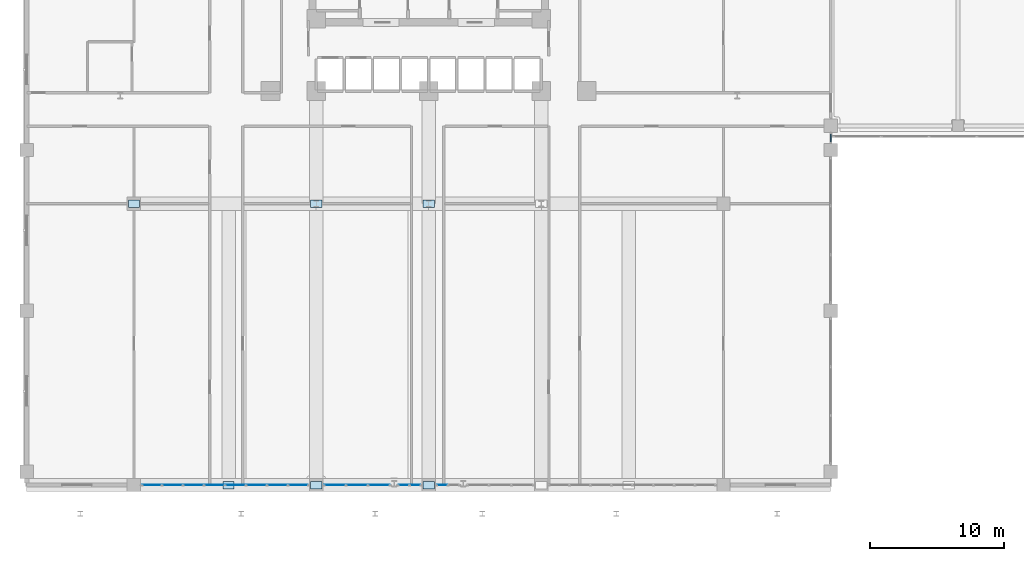
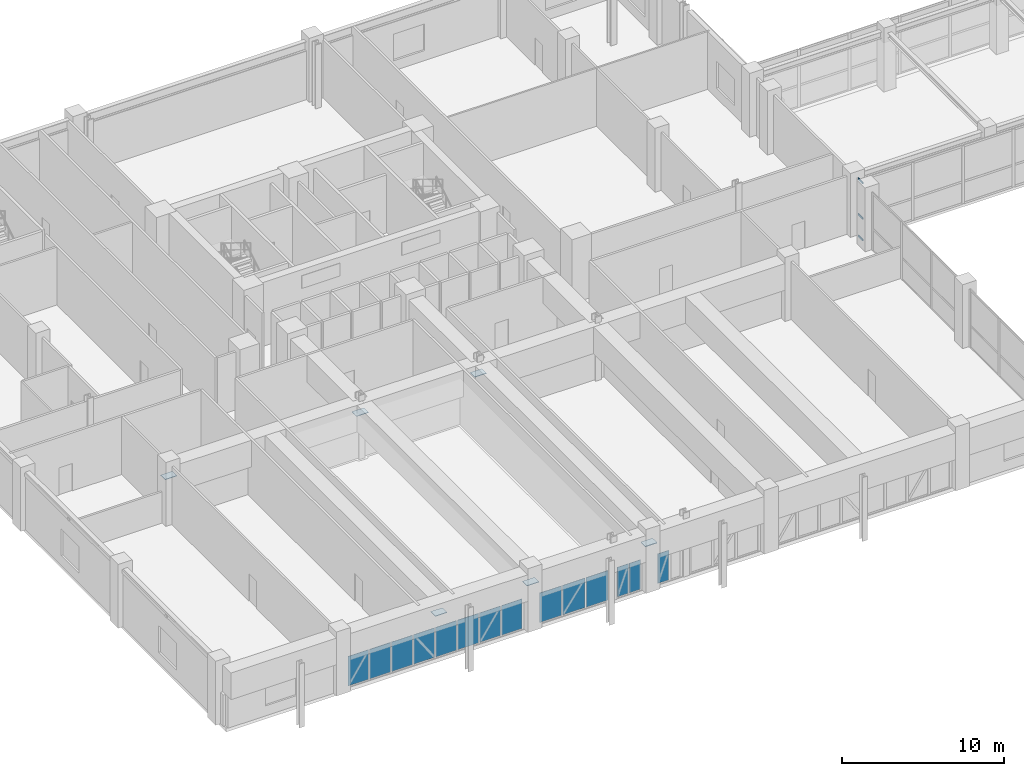
# One storey, part 26 of 44: 20 plates, 3 members, 5 elements without a shape of their own.
"""IFC4 building model written with IfcOpenShell, lengths in metres."""

from ifc_helpers import new_model, si_unit, derived_unit, direction, frame, origin, origin_2d, place, context, subcontext, project, spatial, rectangle, hollow_rectangle, extrude, source, transform, mapped, material, layer, layer_set, material_profile, profile_set, type_object, element, aggregate, save


model = new_model("IFC4")

# Units and contexts
model_context = context("Model", 3, precision=1e-05, world=origin(), true_north=direction((0.0, 1.0)))
body_context = subcontext(model_context, "Body", "Model", "MODEL_VIEW")
ifc_project = project(units=[si_unit("LENGTHUNIT", "METRE"), si_unit("AREAUNIT", "SQUARE_METRE"), si_unit("VOLUMEUNIT", "CUBIC_METRE"), si_unit("PLANEANGLEUNIT", "RADIAN"), si_unit("MASSUNIT", "GRAM", prefix="KILO"), derived_unit("THERMALTRANSMITTANCEUNIT", [(si_unit("POWERUNIT", "WATT"), 1), (si_unit("LENGTHUNIT", "METRE"), -2), (si_unit("THERMODYNAMICTEMPERATUREUNIT", "KELVIN"), -1)])], contexts=[model_context])

# Site, building, storey
site_placement = place(None, origin())
site = spatial("IfcSite", under=ifc_project, at=site_placement, CompositionType="ELEMENT")
building_placement = place(site_placement, origin())
building = spatial("IfcBuilding", under=site, at=building_placement, Name="Korsvarv Bourse and Concert Hall", CompositionType="ELEMENT")
storey_placement = place(building_placement, frame((0.0, 0.0, 9.60009765625)))
storey = spatial("IfcBuildingStorey", under=building, at=storey_placement, Name="L02", CompositionType="ELEMENT", Elevation=9.60009765625)

# Curtain wall, members
ifc_material_1 = material(Name="Anodised aluminium and triple low-E glazing", Category="glass")
ifc_layer_1 = layer(ifc_material_1, 0.239990234375)
ifc_layer_set_1 = layer_set([ifc_layer_1], Name="Anodised aluminium and triple low-E glazing")
curtain_wall_type = type_object("IfcCurtainWallType", Name="CW-SYS-5", PredefinedType="NOTDEFINED", material=ifc_layer_set_1)
curtain_wall_1_placement = place(storey_placement, origin())
curtain_wall_1 = element("IfcCurtainWall", 1, at=curtain_wall_1_placement, inside=storey, type_object=curtain_wall_type, Name="L02 CW5 curtain wall CW-L02-E2-2", PredefinedType="NOTDEFINED")
ifc_material_2 = material(Name="Extruded aluminium EN AW-6063 T66", Category="aluminium")
ifc_material_profile = material_profile(ifc_material_2, hollow_rectangle(XDim=0.06494140625, YDim=0.139892578125, WallThickness=0.00390625, at=origin_2d()), Name="ALU-T 65x140")
ifc_profile_set = profile_set([ifc_material_profile], Name="Extruded aluminium EN AW-6063 T66")
member_type = type_object("IfcMemberType", Name="CWT-140", PredefinedType="USERDEFINED", material=ifc_profile_set)
shared_shape_1 = source(origin(), body_context, "Body", "SweptSolid", [
    extrude(hollow_rectangle(XDim=0.06494140625, YDim=0.139892578125, WallThickness=0.00390625, at=origin_2d()), origin(), (0.0, 0.0, 1.0), 0.559814453125),
])
member_1_placement = place(storey_placement, frame((66.0, 28.6201171875, 0.032470703125), z_axis=(0.0, 1.0, 0.0), x_axis=(-1.0, 0.0, 0.0)))
member_1 = element("IfcMember", 2, at=member_1_placement, type_object=member_type, Name="CW5 transom 1.1", ObjectType="TRANSOM", PredefinedType="USERDEFINED", context=body_context, shape_type="MappedRepresentation", body=[
    mapped(shared_shape_1, transform((0.0, 0.0, 0.0), scale=1.0)),
])
member_2_placement = place(storey_placement, frame((66.0, 28.6201171875, 1.65283203125), z_axis=(0.0, 1.0, 0.0), x_axis=(-1.0, 0.0, 0.0)))
member_2 = element("IfcMember", 3, at=member_2_placement, type_object=member_type, Name="CW5 transom 1.2", ObjectType="TRANSOM", PredefinedType="USERDEFINED", context=body_context, shape_type="MappedRepresentation", body=[
    mapped(shared_shape_1, transform((0.0, 0.0, 0.0), scale=1.0)),
])
member_3_placement = place(storey_placement, frame((66.0, 28.6201171875, 4.3173828125), z_axis=(0.0, 1.0, 0.0), x_axis=(-1.0, 0.0, 0.0)))
member_3 = element("IfcMember", 4, at=member_3_placement, type_object=member_type, Name="CW5 transom 1.3", ObjectType="TRANSOM", PredefinedType="USERDEFINED", context=body_context, shape_type="MappedRepresentation", body=[
    mapped(shared_shape_1, transform((0.0, 0.0, 0.0), scale=1.0)),
])
aggregate(curtain_wall_1, [member_1, member_2, member_3])

# Plates
ifc_material_3 = material(Name="Steel S460", Category="steel")
ifc_layer_2 = layer(ifc_material_3, 0.0400390625)
ifc_layer_set_2 = layer_set([ifc_layer_2], Name="Steel S460")
plate_type_1 = type_object("IfcPlateType", Name="PLT-KN6", PredefinedType="SHEET", material=ifc_layer_set_2)
shared_shape_2 = source(origin(), body_context, "Body", "SweptSolid", [
    extrude(rectangle(XDim=0.840087890625, YDim=0.56005859375, at=origin_2d()), origin(), (0.0, 0.0, 1.0), 0.0400390625),
])
for number, where, z_axis, x_axis, name in (
    (5, (14.0, 24.0, 3.329833984375), (0.0, 0.0, 1.0), (1.0, 0.0, 0.0), "Podium transfer bearing node plate KN6 (BM-L02-PTR1)"),
    (6, (27.60009765625, 24.0, 3.329833984375), (0.0, 0.0, 1.0), (1.0, 0.0, 0.0), "Podium transfer bearing node plate KN6 (BM-L02-PTR2)"),
    (7, (36.0, 24.0, 3.329833984375), (0.0, 0.0, 1.0), (1.0, 0.0, 0.0), "Podium transfer bearing node plate KN6 (BM-L02-PTR3)"),
    (8, (27.60009765625, 3.0, 3.329833984375), (0.0, 0.0, 1.0), (1.0, 0.0, 0.0), "Podium transfer bearing node plate KN6 (BM-L02-PTR5)"),
    (9, (36.0, 3.0, 3.329833984375), (0.0, 0.0, 1.0), (1.0, 0.0, 0.0), "Podium transfer bearing node plate KN6 (BM-L02-PTR7)"),
    (10, (21.06787109375, 3.0, 3.329833984375), (0.0, 0.0, 1.0), (1.0, 0.0, 0.0), "Podium transfer bearing node plate KN6 (BM-L02-PTRC8)"),
):
    element("IfcPlate", number, at=place(storey_placement, frame(where, z_axis=z_axis, x_axis=x_axis)), inside=storey, type_object=plate_type_1, Name=name, PredefinedType="SHEET", context=body_context, shape_type="MappedRepresentation", body=[
        mapped(shared_shape_2, transform((0.0, 0.0, 0.0), scale=1.0)),
    ])

# Curtain wall, plates
curtain_wall_2_placement = place(storey_placement, origin())
curtain_wall_2 = element("IfcCurtainWall", 11, at=curtain_wall_2_placement, inside=storey, type_object=curtain_wall_type, Name="L02 CW5 curtain wall CW-L02-S2", PredefinedType="NOTDEFINED")
ifc_material_4 = material(Name="Insulated spandrel glass", Category="glass")
ifc_layer_3 = layer(ifc_material_4, 0.031982421875)
ifc_layer_set_3 = layer_set([ifc_layer_3], Name="Insulated spandrel glass")
plate_type_2 = type_object("IfcPlateType", Name="CWP-SPD1", PredefinedType="CURTAIN_PANEL", material=ifc_layer_set_3)
shared_shape_3 = source(origin(), body_context, "Body", "SweptSolid", [
    extrude(rectangle(XDim=1.45751953125, YDim=0.031982421875, at=origin_2d()), origin(), (0.0, 0.0, 1.0), 2.219970703125),
])
plate_1_placement = place(storey_placement, frame((15.3486328125, 3.0, 0.06494140625), z_axis=(0.0, 0.0, 1.0), x_axis=(1.0, 0.0, 0.0)))
plate_1 = element("IfcPlate", 12, at=plate_1_placement, type_object=plate_type_2, Name="CW5 spandrel shadow-box panel 1.1", PredefinedType="CURTAIN_PANEL", context=body_context, shape_type="MappedRepresentation", body=[
    mapped(shared_shape_3, transform((0.0, 0.0, 0.0), scale=1.0)),
])
ifc_material_5 = material(Name="Tempered triple insulated low-E architectural glass", Category="glass")
ifc_layer_4 = layer(ifc_material_5, 0.035888671875)
ifc_layer_set_4 = layer_set([ifc_layer_4], Name="Tempered triple insulated low-E architectural glass")
plate_type_3 = type_object("IfcPlateType", Name="CWP-VIS1", PredefinedType="CURTAIN_PANEL", material=ifc_layer_set_4)
shared_shape_4 = source(origin(), body_context, "Body", "SweptSolid", [
    extrude(rectangle(XDim=1.492431640625, YDim=0.035888671875, at=origin_2d()), origin(), (0.0, 0.0, 1.0), 2.219970703125),
])
plate_2_placement = place(storey_placement, frame((16.893798828125, 3.0, 0.06494140625), z_axis=(0.0, 0.0, 1.0), x_axis=(1.0, 0.0, 0.0)))
plate_2 = element("IfcPlate", 13, at=plate_2_placement, type_object=plate_type_3, Name="CW5 faceted panel 2.1", PredefinedType="CURTAIN_PANEL", context=body_context, shape_type="MappedRepresentation", body=[
    mapped(shared_shape_4, transform((0.0, 0.0, 0.0), scale=1.0)),
])
plate_3_placement = place(storey_placement, frame((18.456298828125, 3.0, 0.06494140625), z_axis=(0.0, 0.0, 1.0), x_axis=(1.0, 0.0, 0.0)))
plate_3 = element("IfcPlate", 14, at=plate_3_placement, type_object=plate_type_3, Name="CW5 faceted panel 3.1", PredefinedType="CURTAIN_PANEL", context=body_context, shape_type="MappedRepresentation", body=[
    mapped(shared_shape_4, transform((0.0, 0.0, 0.0), scale=1.0)),
])
plate_4_placement = place(storey_placement, frame((21.581298828125, 3.0, 0.06494140625), z_axis=(0.0, 0.0, 1.0), x_axis=(1.0, 0.0, 0.0)))
plate_4 = element("IfcPlate", 15, at=plate_4_placement, type_object=plate_type_3, Name="CW5 faceted panel 5.1", PredefinedType="CURTAIN_PANEL", context=body_context, shape_type="MappedRepresentation", body=[
    mapped(shared_shape_4, transform((0.0, 0.0, 0.0), scale=1.0)),
])
plate_5_placement = place(storey_placement, frame((23.143798828125, 3.0, 0.06494140625), z_axis=(0.0, 0.0, 1.0), x_axis=(1.0, 0.0, 0.0)))
plate_5 = element("IfcPlate", 16, at=plate_5_placement, type_object=plate_type_3, Name="CW5 faceted panel 6.1", PredefinedType="CURTAIN_PANEL", context=body_context, shape_type="MappedRepresentation", body=[
    mapped(shared_shape_4, transform((0.0, 0.0, 0.0), scale=1.0)),
])
shared_shape_5 = source(origin(), body_context, "Body", "SweptSolid", [
    extrude(rectangle(XDim=1.492431640625, YDim=0.031982421875, at=origin_2d()), origin(), (0.0, 0.0, 1.0), 2.219970703125),
])
plate_6_placement = place(storey_placement, frame((20.018798828125, 3.0, 0.06494140625), z_axis=(0.0, 0.0, 1.0), x_axis=(1.0, 0.0, 0.0)))
plate_6 = element("IfcPlate", 17, at=plate_6_placement, type_object=plate_type_2, Name="CW5 spandrel shadow-box panel 4.1", PredefinedType="CURTAIN_PANEL", context=body_context, shape_type="MappedRepresentation", body=[
    mapped(shared_shape_5, transform((0.0, 0.0, 0.0), scale=1.0)),
])
plate_7_placement = place(storey_placement, frame((24.706298828125, 3.0, 0.06494140625), z_axis=(0.0, 0.0, 1.0), x_axis=(1.0, 0.0, 0.0)))
plate_7 = element("IfcPlate", 18, at=plate_7_placement, type_object=plate_type_2, Name="CW5 spandrel shadow-box panel 7.1", PredefinedType="CURTAIN_PANEL", context=body_context, shape_type="MappedRepresentation", body=[
    mapped(shared_shape_5, transform((0.0, 0.0, 0.0), scale=1.0)),
])
shared_shape_6 = source(origin(), body_context, "Body", "SweptSolid", [
    extrude(rectangle(XDim=1.45751953125, YDim=0.035888671875, at=origin_2d()), origin(), (0.0, 0.0, 1.0), 2.219970703125),
])
plate_8_placement = place(storey_placement, frame((26.251220703125, 3.0, 0.06494140625), z_axis=(0.0, 0.0, 1.0), x_axis=(1.0, 0.0, 0.0)))
plate_8 = element("IfcPlate", 19, at=plate_8_placement, type_object=plate_type_3, Name="CW5 faceted panel 8.1", PredefinedType="CURTAIN_PANEL", context=body_context, shape_type="MappedRepresentation", body=[
    mapped(shared_shape_6, transform((0.0, 0.0, 0.0), scale=1.0)),
])
aggregate(curtain_wall_2, [plate_1, plate_2, plate_3, plate_6, plate_4, plate_5, plate_7, plate_8])

curtain_wall_3_placement = place(storey_placement, origin())
curtain_wall_3 = element("IfcCurtainWall", 20, at=curtain_wall_3_placement, inside=storey, type_object=curtain_wall_type, Name="L02 CW5 curtain wall CW-L02-S3-1", PredefinedType="NOTDEFINED")
shared_shape_7 = source(origin(), body_context, "Body", "SweptSolid", [
    extrude(rectangle(XDim=1.563720703125, YDim=0.035888671875, at=origin_2d()), origin(), (0.0, 0.0, 1.0), 2.219970703125),
])
plate_9_placement = place(storey_placement, frame((29.001953125, 3.0, 0.06494140625), z_axis=(0.0, 0.0, 1.0), x_axis=(1.0, 0.0, 0.0)))
plate_9 = element("IfcPlate", 21, at=plate_9_placement, type_object=plate_type_3, Name="CW5 faceted panel 1.1", PredefinedType="CURTAIN_PANEL", context=body_context, shape_type="MappedRepresentation", body=[
    mapped(shared_shape_7, transform((0.0, 0.0, 0.0), scale=1.0)),
])
plate_10_placement = place(storey_placement, frame((32.30419921875, 3.0, 0.06494140625), z_axis=(0.0, 0.0, 1.0), x_axis=(1.0, 0.0, 0.0)))
plate_10 = element("IfcPlate", 22, at=plate_10_placement, type_object=plate_type_3, Name="CW5 faceted panel 3.1", PredefinedType="CURTAIN_PANEL", context=body_context, shape_type="MappedRepresentation", body=[
    mapped(shared_shape_7, transform((0.0, 0.0, 0.0), scale=1.0)),
])
shared_shape_8 = source(origin(), body_context, "Body", "SweptSolid", [
    extrude(rectangle(XDim=1.5986328125, YDim=0.031982421875, at=origin_2d()), origin(), (0.0, 0.0, 1.0), 2.219970703125),
])
plate_11_placement = place(storey_placement, frame((30.653076171875, 3.0, 0.06494140625), z_axis=(0.0, 0.0, 1.0), x_axis=(1.0, 0.0, 0.0)))
plate_11 = element("IfcPlate", 23, at=plate_11_placement, type_object=plate_type_2, Name="CW5 spandrel shadow-box panel 2.1", PredefinedType="CURTAIN_PANEL", context=body_context, shape_type="MappedRepresentation", body=[
    mapped(shared_shape_8, transform((0.0, 0.0, 0.0), scale=1.0)),
])
aggregate(curtain_wall_3, [plate_9, plate_11, plate_10])

# Curtain wall, plate
curtain_wall_4_placement = place(storey_placement, origin())
curtain_wall_4 = element("IfcCurtainWall", 24, at=curtain_wall_4_placement, inside=storey, type_object=curtain_wall_type, Name="L02 CW5 curtain wall CW-L02-S3-2", PredefinedType="NOTDEFINED")
shared_shape_9 = source(origin(), body_context, "Body", "SweptSolid", [
    extrude(rectangle(XDim=0.780029296875, YDim=0.031982421875, at=origin_2d()), origin(), (0.0, 0.0, 1.0), 2.219970703125),
])
plate_12_placement = place(storey_placement, frame((34.14013671875, 3.0, 0.06494140625), z_axis=(0.0, 0.0, 1.0), x_axis=(1.0, 0.0, 0.0)))
plate_12 = element("IfcPlate", 25, at=plate_12_placement, type_object=plate_type_2, Name="CW5 spandrel shadow-box panel 1.1", PredefinedType="CURTAIN_PANEL", context=body_context, shape_type="MappedRepresentation", body=[
    mapped(shared_shape_9, transform((0.0, 0.0, 0.0), scale=1.0)),
])

curtain_wall_5_placement = place(storey_placement, origin())
curtain_wall_5 = element("IfcCurtainWall", 26, at=curtain_wall_5_placement, inside=storey, type_object=curtain_wall_type, Name="L02 CW5 curtain wall CW-L02-S4-1", PredefinedType="NOTDEFINED")
plate_13_placement = place(storey_placement, frame((37.010009765625, 3.0, 0.06494140625), z_axis=(0.0, 0.0, 1.0), x_axis=(1.0, 0.0, 0.0)))
plate_13 = element("IfcPlate", 27, at=plate_13_placement, type_object=plate_type_2, Name="CW5 spandrel shadow-box panel 1.1", PredefinedType="CURTAIN_PANEL", context=body_context, shape_type="MappedRepresentation", body=[
    mapped(shared_shape_9, transform((0.0, 0.0, 0.0), scale=1.0)),
])
aggregate(curtain_wall_5, [plate_13])

# Plate
shared_shape_10 = source(origin(), body_context, "Body", "SweptSolid", [
    extrude(rectangle(XDim=0.780029296875, YDim=0.035888671875, at=origin_2d()), origin(), (0.0, 0.0, 1.0), 2.219970703125),
])
plate_14_placement = place(storey_placement, frame((34.989990234375, 3.0, 0.06494140625), z_axis=(0.0, 0.0, 1.0), x_axis=(1.0, 0.0, 0.0)))
plate_14 = element("IfcPlate", 28, at=plate_14_placement, type_object=plate_type_3, Name="CW5 faceted panel 2.1", PredefinedType="CURTAIN_PANEL", context=body_context, shape_type="MappedRepresentation", body=[
    mapped(shared_shape_10, transform((0.0, 0.0, 0.0), scale=1.0)),
])

aggregate(curtain_wall_4, [plate_12, plate_14])

save(model, "model.ifc")
